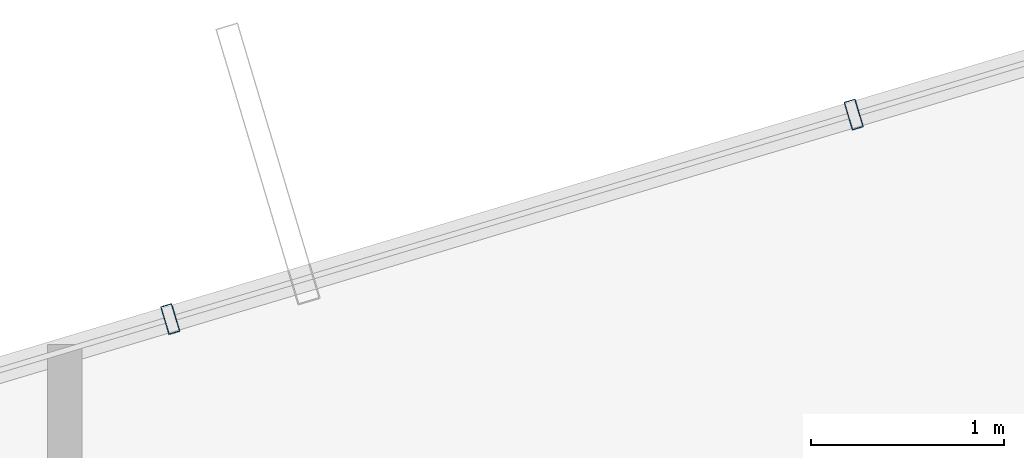
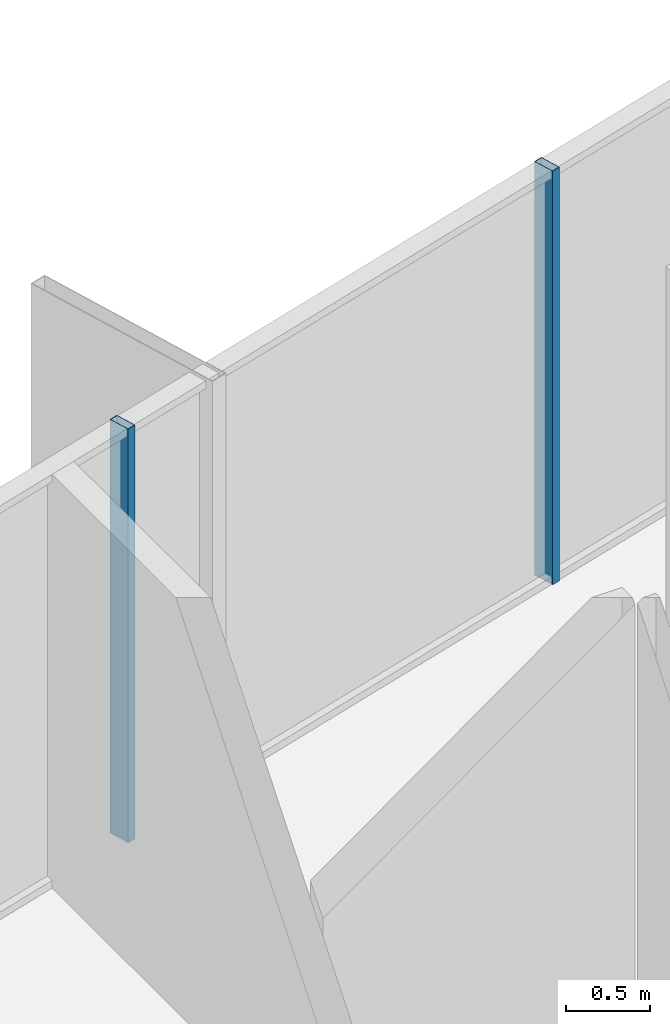
# One storey, part 20 of 28: 2 members, 1 element without a shape of its own.
"""IFC4 building model written with IfcOpenShell, lengths in metres."""

from ifc_helpers import new_model, si_unit, direction, frame, origin, origin_2d, place, context, subcontext, project, spatial, hollow_rectangle, extrude, source, transform, mapped, material, layer, layer_set, material_profile, profile_set, type_object, element, aggregate, save


model = new_model("IFC4")

# Units and contexts
model_context = context("Model", 3, precision=1e-05, world=origin(), true_north=direction((0.0, 1.0)))
body_context = subcontext(model_context, "Body", "Model", "MODEL_VIEW")
ifc_project = project(units=[si_unit("LENGTHUNIT", "METRE"), si_unit("AREAUNIT", "SQUARE_METRE"), si_unit("VOLUMEUNIT", "CUBIC_METRE"), si_unit("PLANEANGLEUNIT", "RADIAN"), si_unit("MASSUNIT", "GRAM", prefix="KILO")], contexts=[model_context])

# Site, building, storey
site_placement = place(None, origin())
site = spatial("IfcSite", under=ifc_project, at=site_placement, CompositionType="ELEMENT")
building_placement = place(site_placement, origin())
building = spatial("IfcBuilding", under=site, at=building_placement, Name="Veraguas Prism Commons", CompositionType="ELEMENT")
storey_placement = place(building_placement, frame((0.0, 0.0, 254.5)))
storey = spatial("IfcBuildingStorey", under=building, at=storey_placement, Name="L72", CompositionType="ELEMENT", Elevation=254.5)

# Curtain wall, members
ifc_material = material(Name="Anodised aluminium EN AW-6063 T6", Category="aluminium")
ifc_layer = layer(ifc_material, 0.14990234375, Name="Unitised Flush Curtain Wall Zone 4", Category="aluminium")
ifc_layer_set = layer_set([ifc_layer], Name="Anodised aluminium EN AW-6063 T6")
curtain_wall_type = type_object("IfcCurtainWallType", Name="Unitised Flush Curtain Wall Zone 4", PredefinedType="NOTDEFINED", material=ifc_layer_set)
curtain_wall_placement = place(storey_placement, origin())
curtain_wall = element("IfcCurtainWall", 1, at=curtain_wall_placement, inside=storey, type_object=curtain_wall_type, Name="Tower Facade Curtain Wall L72-F2", PredefinedType="NOTDEFINED")
ifc_material_profile = material_profile(ifc_material, hollow_rectangle(XDim=0.06005859375, YDim=0.14990234375, WallThickness=0.0029296875, at=origin_2d()), Name="AL60X150X3")
ifc_profile_set = profile_set([ifc_material_profile], Name="Anodised aluminium EN AW-6063 T6")
member_type = type_object("IfcMemberType", Name="Curtain Wall Mullion Upper AL 60x150x3", PredefinedType="MULLION", material=ifc_profile_set)
shared_shape = source(origin(), body_context, "Body", "SweptSolid", [
    extrude(hollow_rectangle(XDim=0.06005859375, YDim=0.14990234375, WallThickness=0.0029296875, at=origin_2d()), origin(), (0.0, 0.0, 1.0), 3.014892578125),
])
member_1_placement = place(storey_placement, frame((19.28271484375, 39.763916015625, 0.0), z_axis=(0.0, 0.0, 1.0), x_axis=(-0.958022876902, -0.286691763629, 0.0)))
member_1 = element("IfcMember", 2, at=member_1_placement, type_object=member_type, Name="CW-Z4 Mullion 3", PredefinedType="MULLION", context=body_context, shape_type="MappedRepresentation", body=[
    mapped(shared_shape, transform((0.0, 0.0, 0.0), scale=1.0)),
])
member_2_placement = place(storey_placement, frame((15.74609375, 38.70556640625, 0.0), z_axis=(0.0, 0.0, 1.0), x_axis=(-0.958022876902, -0.286691763629, 0.0)))
member_2 = element("IfcMember", 3, at=member_2_placement, type_object=member_type, Name="CW-Z4 Mullion 4", PredefinedType="MULLION", context=body_context, shape_type="MappedRepresentation", body=[
    mapped(shared_shape, transform((0.0, 0.0, 0.0), scale=1.0)),
])
aggregate(curtain_wall, [member_1, member_2])

save(model, "model.ifc")
